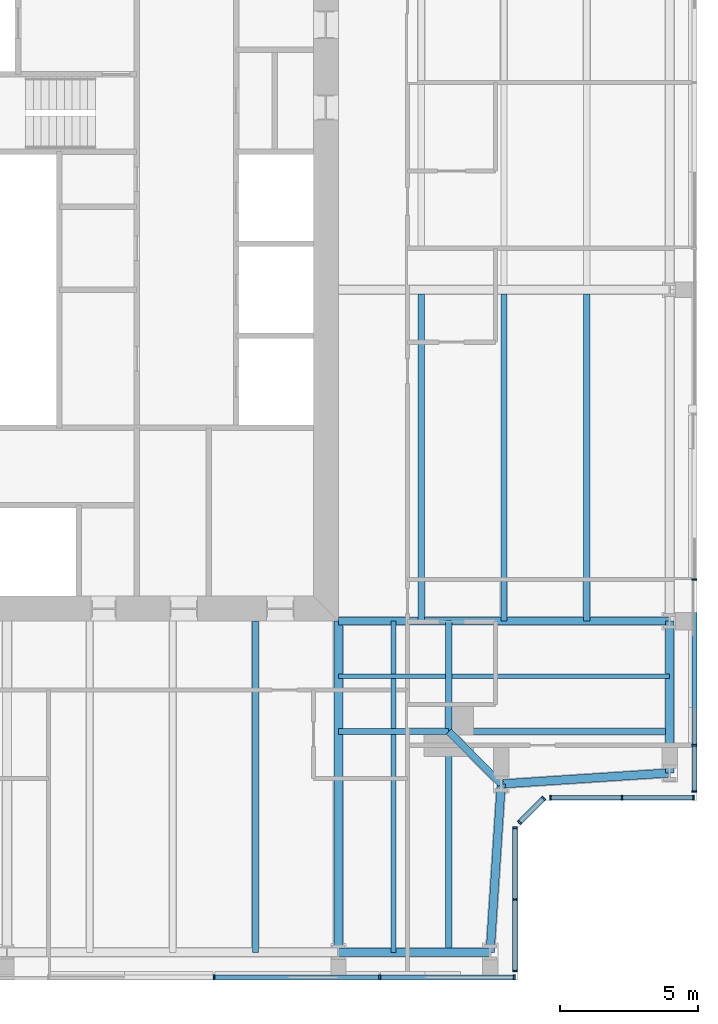
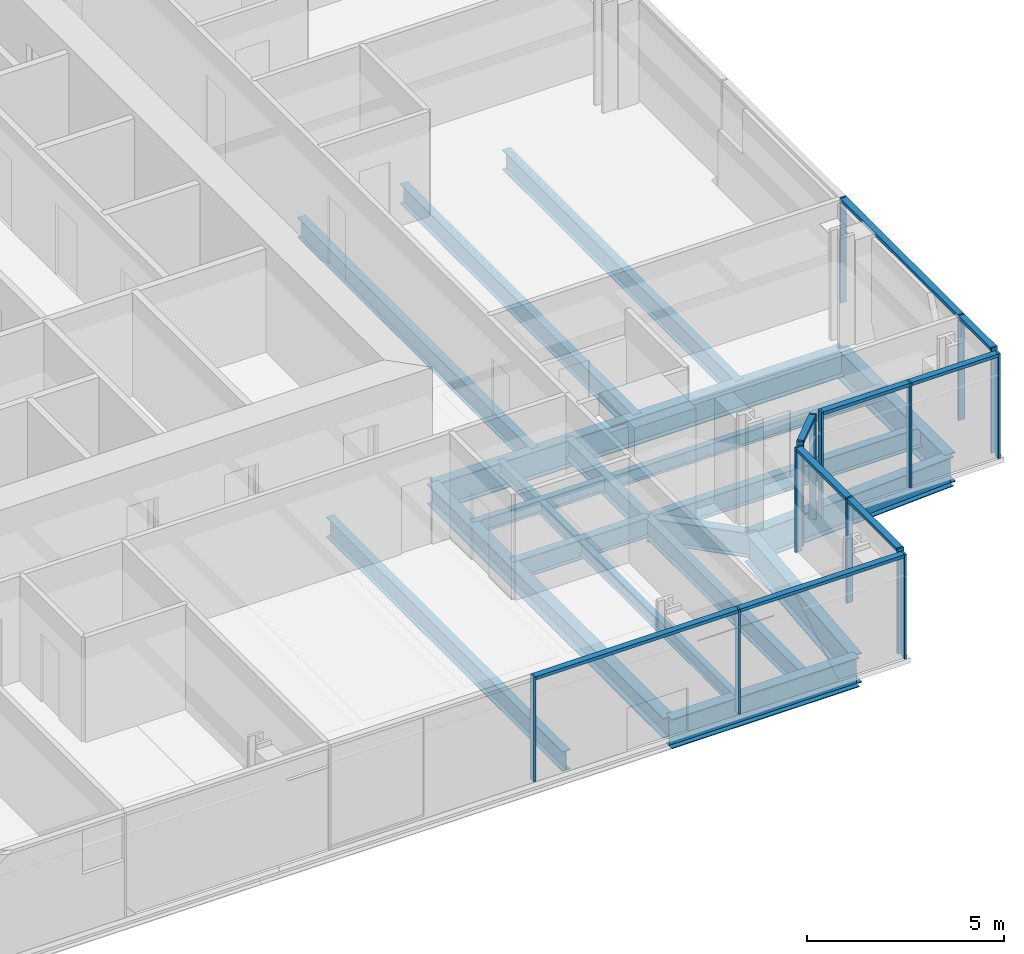
# One storey, part 5 of 18: 23 members, 20 beams, 5 elements without a shape of their own.
"""IFC4 building model written with IfcOpenShell, lengths in metres."""

from ifc_helpers import new_model, si_unit, direction, frame, origin, origin_2d, place, context, subcontext, project, spatial, rectangle, i_section, extrude, material, material_profile, profile_set, type_object, element, aggregate, save


model = new_model("IFC4")

# Units and contexts
model_context = context("Model", 3, precision=1e-05, world=origin(), true_north=direction((0.0, 1.0)))
body_context = subcontext(model_context, "Body", "Model", "MODEL_VIEW")
ifc_project = project(units=[si_unit("LENGTHUNIT", "METRE"), si_unit("AREAUNIT", "SQUARE_METRE"), si_unit("VOLUMEUNIT", "CUBIC_METRE"), si_unit("PLANEANGLEUNIT", "RADIAN"), si_unit("MASSUNIT", "GRAM", prefix="KILO")], contexts=[model_context])

# Site, building, storey
site_placement = place(None, origin())
site = spatial("IfcSite", under=ifc_project, at=site_placement, CompositionType="ELEMENT")
building_placement = place(site_placement, origin())
building = spatial("IfcBuilding", under=site, at=building_placement, Name="Fenwick Lantern Interchange", CompositionType="ELEMENT")
storey_placement = place(building_placement, frame((0.0, 0.0, 290.0)))
storey = spatial("IfcBuildingStorey", under=building, at=storey_placement, Name="L70", CompositionType="ELEMENT", Elevation=290.0)

# Beams
ifc_material_1 = material(Name="Steel ASTM A992 Grade 50", Category="steel")
ifc_material_profile_1 = material_profile(ifc_material_1, i_section(OverallWidth=0.3046875, OverallDepth=0.911865234375, WebThickness=0.015869140625, FlangeThickness=0.02392578125, at=origin_2d()), Name="W36X150")
ifc_profile_set_1 = profile_set([ifc_material_profile_1], Name="Steel ASTM A992 Grade 50")
beam_type_1 = type_object("IfcBeamType", Name="EDGE BEAM W36X150", PredefinedType="SPANDREL", material=ifc_profile_set_1)
beam_1_placement = place(storey_placement, frame((37.0, 1.0, -0.60595703125), z_axis=(1.0, 0.0, 0.0), x_axis=(0.0, 1.0, 0.0)))
element("IfcBeam", 1, at=beam_1_placement, inside=storey, type_object=beam_type_1, Name="L70/FR/S/EB4", PredefinedType="SPANDREL", context=body_context, shape_type="SweptSolid", body=[
    extrude(i_section(OverallWidth=0.3046875, OverallDepth=0.911865234375, WebThickness=0.015869140625, FlangeThickness=0.02392578125, at=origin_2d()), origin(), (0.0, 0.0, 1.0), 5.5),
])
for number, where, z_axis, x_axis, name in (
    (2, (42.5, 1.0, -0.60595703125), (0.065416293237, 0.997858060337, 0.0), (-0.997858060337, 0.065416293237, 0.0), "L70/FR/S/EBR1"),
    (3, (42.89990234375, 7.10009765625, -0.60595703125), (0.997858060337, 0.065416293237, 0.0), (-0.065416293237, 0.997858060337, 0.0), "L70/FR/S/EBR2"),
):
    element("IfcBeam", number, at=place(storey_placement, frame(where, z_axis=z_axis, x_axis=x_axis)), inside=storey, type_object=beam_type_1, Name=name, PredefinedType="SPANDREL", context=body_context, shape_type="SweptSolid", body=[
        extrude(i_section(OverallWidth=0.3046875, OverallDepth=0.911865234375, WebThickness=0.015869140625, FlangeThickness=0.02392578125, at=origin_2d()), origin(), (0.0, 0.0, 1.0), 6.11328125),
    ])
beam_2_placement = place(storey_placement, frame((49.0, 7.5, -0.60595703125), z_axis=(0.0, 1.0, 0.0), x_axis=(-1.0, 0.0, 0.0)))
element("IfcBeam", 4, at=beam_2_placement, inside=storey, type_object=beam_type_1, Name="L70/FR/E/EB1", PredefinedType="SPANDREL", context=body_context, shape_type="SweptSolid", body=[
    extrude(i_section(OverallWidth=0.3046875, OverallDepth=0.911865234375, WebThickness=0.015869140625, FlangeThickness=0.02392578125, at=origin_2d()), origin(), (0.0, 0.0, 1.0), 5.5),
])
ifc_material_profile_2 = material_profile(ifc_material_1, i_section(OverallWidth=0.22900390625, OverallDepth=0.612060546875, WebThickness=0.011962890625, FlangeThickness=0.01953125, at=origin_2d()), Name="W24X84")
ifc_profile_set_2 = profile_set([ifc_material_profile_2], Name="Steel ASTM A992 Grade 50")
beam_type_2 = type_object("IfcBeamType", Name="FLOOR BEAM W24X84", PredefinedType="BEAM", material=ifc_profile_set_2)
beam_3_placement = place(storey_placement, frame((34.0, 1.0, -0.4560546875), z_axis=(0.0, 1.0, 0.0), x_axis=(-1.0, 0.0, 0.0)))
element("IfcBeam", 5, at=beam_3_placement, inside=storey, type_object=beam_type_2, Name="L70/FR/S/R08", PredefinedType="BEAM", context=body_context, shape_type="SweptSolid", body=[
    extrude(i_section(OverallWidth=0.22900390625, OverallDepth=0.612060546875, WebThickness=0.011962890625, FlangeThickness=0.01953125, at=origin_2d()), origin(), (0.0, 0.0, 1.0), 12.0),
])
for number, where, z_axis, x_axis, name in (
    (6, (46.0, 13.0, -0.4560546875), (0.0, 1.0, 0.0), (-1.0, 0.0, 0.0), "L70/FR/E/B01"),
    (7, (43.0, 13.0, -0.4560546875), (0.0, 1.0, 0.0), (-1.0, 0.0, 0.0), "L70/FR/E/B02"),
    (8, (40.0, 13.0, -0.4560546875), (0.0, 1.0, 0.0), (-1.0, 0.0, 0.0), "L70/FR/E/B03"),
):
    element("IfcBeam", number, at=place(storey_placement, frame(where, z_axis=z_axis, x_axis=x_axis)), inside=storey, type_object=beam_type_2, Name=name, PredefinedType="BEAM", context=body_context, shape_type="SweptSolid", body=[
        extrude(i_section(OverallWidth=0.22900390625, OverallDepth=0.612060546875, WebThickness=0.011962890625, FlangeThickness=0.01953125, at=origin_2d()), origin(), (0.0, 0.0, 1.0), 11.844970703125),
    ])

# Curtain wall, members
ifc_material_2 = material(Name="Aluminium curtain wall frame", Category="aluminium")
curtain_wall_type = type_object("IfcCurtainWallType", Name="HOTEL CURTAIN WALL", PredefinedType="USERDEFINED", material=ifc_material_2)
curtain_wall_1_placement = place(storey_placement, origin())
curtain_wall_1 = element("IfcCurtainWall", 9, at=curtain_wall_1_placement, inside=storey, type_object=curtain_wall_type, Name="Hotel curtain wall 01", ObjectType="HOTEL CURTAIN WALL", PredefinedType="USERDEFINED")
ifc_material_3 = material(Name="Aluminium extrusion", Category="aluminium")
ifc_material_profile_3 = material_profile(ifc_material_3, rectangle(XDim=0.179931640625, YDim=0.06005859375, at=origin_2d()), Name="HOTEL CURTAIN WALL MULLION 60 X 180")
ifc_profile_set_3 = profile_set([ifc_material_profile_3], Name="Aluminium extrusion")
member_type_1 = type_object("IfcMemberType", Name="HOTEL CURTAIN WALL MULLION 60 X 180", PredefinedType="MULLION", material=ifc_profile_set_3)
member_1_placement = place(storey_placement, frame((32.5, 0.10009765625, 0.0), z_axis=(0.0, 0.0, 1.0), x_axis=(0.0, 1.0, 0.0)))
member_1 = element("IfcMember", 10, at=member_1_placement, type_object=member_type_1, Name="L70/CW/01/M05", PredefinedType="MULLION", context=body_context, shape_type="SweptSolid", body=[
    extrude(rectangle(XDim=0.179931640625, YDim=0.06005859375, at=origin_2d()), origin(), (0.0, 0.0, 1.0), 3.25),
])
member_2_placement = place(storey_placement, frame((38.5, 0.10009765625, 0.0), z_axis=(0.0, 0.0, 1.0), x_axis=(0.0, 1.0, 0.0)))
member_2 = element("IfcMember", 11, at=member_2_placement, type_object=member_type_1, Name="L70/CW/01/M06", PredefinedType="MULLION", context=body_context, shape_type="SweptSolid", body=[
    extrude(rectangle(XDim=0.179931640625, YDim=0.06005859375, at=origin_2d()), origin(), (0.0, 0.0, 1.0), 3.25),
])
member_3_placement = place(storey_placement, frame((43.3701171875, 0.10009765625, 0.0), z_axis=(0.0, 0.0, 1.0), x_axis=(0.0, 1.0, 0.0)))
member_3 = element("IfcMember", 12, at=member_3_placement, type_object=member_type_1, Name="L70/CW/01/M07", PredefinedType="MULLION", context=body_context, shape_type="SweptSolid", body=[
    extrude(rectangle(XDim=0.179931640625, YDim=0.06005859375, at=origin_2d()), origin(), (0.0, 0.0, 1.0), 3.25),
])

curtain_wall_2_placement = place(storey_placement, origin())
curtain_wall_2 = element("IfcCurtainWall", 13, at=curtain_wall_2_placement, inside=storey, type_object=curtain_wall_type, Name="Hotel curtain wall 02", ObjectType="HOTEL CURTAIN WALL", PredefinedType="USERDEFINED")
member_4_placement = place(storey_placement, frame((43.39990234375, 0.330078125, 0.0), z_axis=(0.0, 0.0, 1.0), x_axis=(-1.0, 0.0, 0.0)))
member_4 = element("IfcMember", 14, at=member_4_placement, type_object=member_type_1, Name="L70/CW/02/M00", PredefinedType="MULLION", context=body_context, shape_type="SweptSolid", body=[
    extrude(rectangle(XDim=0.179931640625, YDim=0.06005859375, at=origin_2d()), origin(), (0.0, 0.0, 1.0), 3.25),
])
member_5_placement = place(storey_placement, frame((43.39990234375, 2.920654296875, 0.0), z_axis=(0.0, 0.0, 1.0), x_axis=(-1.0, 0.0, 0.0)))
member_5 = element("IfcMember", 15, at=member_5_placement, type_object=member_type_1, Name="L70/CW/02/M01", PredefinedType="MULLION", context=body_context, shape_type="SweptSolid", body=[
    extrude(rectangle(XDim=0.179931640625, YDim=0.06005859375, at=origin_2d()), origin(), (0.0, 0.0, 1.0), 3.25),
])
member_6_placement = place(storey_placement, frame((43.39990234375, 5.511474609375, 0.0), z_axis=(0.0, 0.0, 1.0), x_axis=(-1.0, 0.0, 0.0)))
member_6 = element("IfcMember", 16, at=member_6_placement, type_object=member_type_1, Name="L70/CW/02/M02", PredefinedType="MULLION", context=body_context, shape_type="SweptSolid", body=[
    extrude(rectangle(XDim=0.179931640625, YDim=0.06005859375, at=origin_2d()), origin(), (0.0, 0.0, 1.0), 3.25),
])

curtain_wall_3_placement = place(storey_placement, origin())
curtain_wall_3 = element("IfcCurtainWall", 17, at=curtain_wall_3_placement, inside=storey, type_object=curtain_wall_type, Name="Hotel curtain wall 03", ObjectType="HOTEL CURTAIN WALL", PredefinedType="USERDEFINED")
member_7_placement = place(storey_placement, frame((43.562744140625, 5.7041015625, 0.0), z_axis=(0.0, 0.0, 1.0), x_axis=(-0.707106781187, 0.707106781187, 0.0)))
member_7 = element("IfcMember", 18, at=member_7_placement, type_object=member_type_1, Name="L70/CW/03/M00", PredefinedType="MULLION", context=body_context, shape_type="SweptSolid", body=[
    extrude(rectangle(XDim=0.179931640625, YDim=0.06005859375, at=origin_2d()), origin(), (0.0, 0.0, 1.0), 3.25),
])
member_8_placement = place(storey_placement, frame((44.437255859375, 6.578857421875, 0.0), z_axis=(0.0, 0.0, 1.0), x_axis=(-0.707106781187, 0.707106781187, 0.0)))
member_8 = element("IfcMember", 19, at=member_8_placement, type_object=member_type_1, Name="L70/CW/03/M01", PredefinedType="MULLION", context=body_context, shape_type="SweptSolid", body=[
    extrude(rectangle(XDim=0.179931640625, YDim=0.06005859375, at=origin_2d()), origin(), (0.0, 0.0, 1.0), 3.25),
])

curtain_wall_4_placement = place(storey_placement, origin())
curtain_wall_4 = element("IfcCurtainWall", 20, at=curtain_wall_4_placement, inside=storey, type_object=curtain_wall_type, Name="Hotel curtain wall 04", ObjectType="HOTEL CURTAIN WALL", PredefinedType="USERDEFINED")
member_9_placement = place(storey_placement, frame((44.6884765625, 6.60009765625, 0.0), z_axis=(0.0, 0.0, 1.0), x_axis=(0.0, 1.0, 0.0)))
member_9 = element("IfcMember", 21, at=member_9_placement, type_object=member_type_1, Name="L70/CW/04/M00", PredefinedType="MULLION", context=body_context, shape_type="SweptSolid", body=[
    extrude(rectangle(XDim=0.179931640625, YDim=0.06005859375, at=origin_2d()), origin(), (0.0, 0.0, 1.0), 3.25),
])
member_10_placement = place(storey_placement, frame((47.279296875, 6.60009765625, 0.0), z_axis=(0.0, 0.0, 1.0), x_axis=(0.0, 1.0, 0.0)))
member_10 = element("IfcMember", 22, at=member_10_placement, type_object=member_type_1, Name="L70/CW/04/M01", PredefinedType="MULLION", context=body_context, shape_type="SweptSolid", body=[
    extrude(rectangle(XDim=0.179931640625, YDim=0.06005859375, at=origin_2d()), origin(), (0.0, 0.0, 1.0), 3.25),
])
member_11_placement = place(storey_placement, frame((49.8701171875, 6.60009765625, 0.0), z_axis=(0.0, 0.0, 1.0), x_axis=(0.0, 1.0, 0.0)))
member_11 = element("IfcMember", 23, at=member_11_placement, type_object=member_type_1, Name="L70/CW/04/M02", PredefinedType="MULLION", context=body_context, shape_type="SweptSolid", body=[
    extrude(rectangle(XDim=0.179931640625, YDim=0.06005859375, at=origin_2d()), origin(), (0.0, 0.0, 1.0), 3.25),
])

curtain_wall_5_placement = place(storey_placement, origin())
curtain_wall_5 = element("IfcCurtainWall", 24, at=curtain_wall_5_placement, inside=storey, type_object=curtain_wall_type, Name="Hotel curtain wall 05", ObjectType="HOTEL CURTAIN WALL", PredefinedType="USERDEFINED")
member_12_placement = place(storey_placement, frame((49.89990234375, 6.830078125, 0.0), z_axis=(0.0, 0.0, 1.0), x_axis=(-1.0, 0.0, 0.0)))
member_12 = element("IfcMember", 25, at=member_12_placement, type_object=member_type_1, Name="L70/CW/05/M00", PredefinedType="MULLION", context=body_context, shape_type="SweptSolid", body=[
    extrude(rectangle(XDim=0.179931640625, YDim=0.06005859375, at=origin_2d()), origin(), (0.0, 0.0, 1.0), 3.25),
])
member_13_placement = place(storey_placement, frame((49.89990234375, 8.5, 0.0), z_axis=(0.0, 0.0, 1.0), x_axis=(-1.0, 0.0, 0.0)))
member_13 = element("IfcMember", 26, at=member_13_placement, type_object=member_type_1, Name="L70/CW/05/M01", PredefinedType="MULLION", context=body_context, shape_type="SweptSolid", body=[
    extrude(rectangle(XDim=0.179931640625, YDim=0.06005859375, at=origin_2d()), origin(), (0.0, 0.0, 1.0), 3.25),
])
member_14_placement = place(storey_placement, frame((49.89990234375, 14.5, 0.0), z_axis=(0.0, 0.0, 1.0), x_axis=(-1.0, 0.0, 0.0)))
member_14 = element("IfcMember", 27, at=member_14_placement, type_object=member_type_1, Name="L70/CW/05/M02", PredefinedType="MULLION", context=body_context, shape_type="SweptSolid", body=[
    extrude(rectangle(XDim=0.179931640625, YDim=0.06005859375, at=origin_2d()), origin(), (0.0, 0.0, 1.0), 3.25),
])

# Member
ifc_material_profile_4 = material_profile(ifc_material_3, rectangle(XDim=0.179931640625, YDim=0.10009765625, at=origin_2d()), Name="HOTEL CURTAIN WALL TRANSOM 100 X 180")
ifc_profile_set_4 = profile_set([ifc_material_profile_4], Name="Aluminium extrusion")
member_type_2 = type_object("IfcMemberType", Name="HOTEL CURTAIN WALL TRANSOM 100 X 180", PredefinedType="MULLION", material=ifc_profile_set_4)
member_15_placement = place(storey_placement, frame((32.530029296875, 0.10009765625, 3.199951171875), z_axis=(1.0, 0.0, 0.0), x_axis=(0.0, 1.0, 0.0)))
member_15 = element("IfcMember", 28, at=member_15_placement, type_object=member_type_2, Name="L70/CW/01/T05", PredefinedType="MULLION", context=body_context, shape_type="SweptSolid", body=[
    extrude(rectangle(XDim=0.179931640625, YDim=0.10009765625, at=origin_2d()), origin(), (0.0, 0.0, 1.0), 5.93994140625),
])

member_16_placement = place(storey_placement, frame((38.530029296875, 0.10009765625, 3.199951171875), z_axis=(1.0, 0.0, 0.0), x_axis=(0.0, 1.0, 0.0)))
member_16 = element("IfcMember", 29, at=member_16_placement, type_object=member_type_2, Name="L70/CW/01/T06", PredefinedType="MULLION", context=body_context, shape_type="SweptSolid", body=[
    extrude(rectangle(XDim=0.179931640625, YDim=0.10009765625, at=origin_2d()), origin(), (0.0, 0.0, 1.0), 4.81005859375),
])

aggregate(curtain_wall_1, [member_1, member_2, member_3, member_15, member_16])

member_17_placement = place(storey_placement, frame((43.39990234375, 0.360107421875, 3.199951171875), z_axis=(0.0, 1.0, 0.0), x_axis=(-1.0, 0.0, 0.0)))
member_17 = element("IfcMember", 30, at=member_17_placement, type_object=member_type_2, Name="L70/CW/02/T00", PredefinedType="MULLION", context=body_context, shape_type="SweptSolid", body=[
    extrude(rectangle(XDim=0.179931640625, YDim=0.10009765625, at=origin_2d()), origin(), (0.0, 0.0, 1.0), 2.530517578125),
])

member_18_placement = place(storey_placement, frame((43.39990234375, 2.95068359375, 3.199951171875), z_axis=(0.0, 1.0, 0.0), x_axis=(-1.0, 0.0, 0.0)))
member_18 = element("IfcMember", 31, at=member_18_placement, type_object=member_type_2, Name="L70/CW/02/T01", PredefinedType="MULLION", context=body_context, shape_type="SweptSolid", body=[
    extrude(rectangle(XDim=0.179931640625, YDim=0.10009765625, at=origin_2d()), origin(), (0.0, 0.0, 1.0), 2.53076171875),
])

aggregate(curtain_wall_2, [member_4, member_5, member_6, member_17, member_18])

member_19_placement = place(storey_placement, frame((43.583740234375, 5.725341796875, 3.199951171875), z_axis=(0.707210470133, 0.707003077033, 0.0), x_axis=(-0.707003077033, 0.707210470133, 0.0)))
member_19 = element("IfcMember", 32, at=member_19_placement, type_object=member_type_2, Name="L70/CW/03/T00", PredefinedType="MULLION", context=body_context, shape_type="SweptSolid", body=[
    extrude(rectangle(XDim=0.179931640625, YDim=0.10009765625, at=origin_2d()), origin(), (0.0, 0.0, 1.0), 1.17724609375),
])

aggregate(curtain_wall_3, [member_7, member_8, member_19])

member_20_placement = place(storey_placement, frame((44.718505859375, 6.60009765625, 3.199951171875), z_axis=(1.0, 0.0, 0.0), x_axis=(0.0, 1.0, 0.0)))
member_20 = element("IfcMember", 33, at=member_20_placement, type_object=member_type_2, Name="L70/CW/04/T00", PredefinedType="MULLION", context=body_context, shape_type="SweptSolid", body=[
    extrude(rectangle(XDim=0.179931640625, YDim=0.10009765625, at=origin_2d()), origin(), (0.0, 0.0, 1.0), 2.53076171875),
])

member_21_placement = place(storey_placement, frame((47.309326171875, 6.60009765625, 3.199951171875), z_axis=(1.0, 0.0, 0.0), x_axis=(0.0, 1.0, 0.0)))
member_21 = element("IfcMember", 34, at=member_21_placement, type_object=member_type_2, Name="L70/CW/04/T01", PredefinedType="MULLION", context=body_context, shape_type="SweptSolid", body=[
    extrude(rectangle(XDim=0.179931640625, YDim=0.10009765625, at=origin_2d()), origin(), (0.0, 0.0, 1.0), 2.53076171875),
])

aggregate(curtain_wall_4, [member_9, member_10, member_11, member_20, member_21])

member_22_placement = place(storey_placement, frame((49.89990234375, 6.860107421875, 3.199951171875), z_axis=(0.0, 1.0, 0.0), x_axis=(-1.0, 0.0, 0.0)))
member_22 = element("IfcMember", 35, at=member_22_placement, type_object=member_type_2, Name="L70/CW/05/T00", PredefinedType="MULLION", context=body_context, shape_type="SweptSolid", body=[
    extrude(rectangle(XDim=0.179931640625, YDim=0.10009765625, at=origin_2d()), origin(), (0.0, 0.0, 1.0), 1.60986328125),
])

member_23_placement = place(storey_placement, frame((49.89990234375, 8.530029296875, 3.199951171875), z_axis=(0.0, 1.0, 0.0), x_axis=(-1.0, 0.0, 0.0)))
member_23 = element("IfcMember", 36, at=member_23_placement, type_object=member_type_2, Name="L70/CW/05/T01", PredefinedType="MULLION", context=body_context, shape_type="SweptSolid", body=[
    extrude(rectangle(XDim=0.179931640625, YDim=0.10009765625, at=origin_2d()), origin(), (0.0, 0.0, 1.0), 5.93994140625),
])

aggregate(curtain_wall_5, [member_12, member_13, member_14, member_22, member_23])

# Beams
ifc_material_profile_5 = material_profile(ifc_material_1, i_section(OverallWidth=0.177734375, OverallDepth=0.406494140625, WebThickness=0.0078125, FlangeThickness=0.012939453125, at=origin_2d()), Name="W16X40")
ifc_profile_set_5 = profile_set([ifc_material_profile_5], Name="Steel ASTM A992 Grade 50")
beam_type_3 = type_object("IfcBeamType", Name="INFILL BEAM W16X40", PredefinedType="JOIST", material=ifc_profile_set_5)
beam_4_placement = place(storey_placement, frame((49.0, 11.0, -0.353271484375), z_axis=(-1.0, 0.0, 0.0), x_axis=(0.0, -1.0, 0.0)))
element("IfcBeam", 37, at=beam_4_placement, inside=storey, type_object=beam_type_3, Name="L70/FR/E/J1", PredefinedType="JOIST", context=body_context, shape_type="SweptSolid", body=[
    extrude(i_section(OverallWidth=0.177734375, OverallDepth=0.406494140625, WebThickness=0.0078125, FlangeThickness=0.012939453125, at=origin_2d()), origin(), (0.0, 0.0, 1.0), 7.885498046875),
])
beam_5_placement = place(storey_placement, frame((40.885498046875, 11.0, -0.353271484375), z_axis=(-1.0, 0.0, 0.0), x_axis=(0.0, -1.0, 0.0)))
element("IfcBeam", 38, at=beam_5_placement, inside=storey, type_object=beam_type_3, Name="L70/FR/E/J2", PredefinedType="JOIST", context=body_context, shape_type="SweptSolid", body=[
    extrude(i_section(OverallWidth=0.177734375, OverallDepth=0.406494140625, WebThickness=0.0078125, FlangeThickness=0.012939453125, at=origin_2d()), origin(), (0.0, 0.0, 1.0), 3.885498046875),
])
beam_6_placement = place(storey_placement, frame((39.0, 1.0, -0.353271484375), z_axis=(0.0, 1.0, 0.0), x_axis=(-1.0, 0.0, 0.0)))
element("IfcBeam", 39, at=beam_6_placement, inside=storey, type_object=beam_type_3, Name="L70/FR/E/J3", PredefinedType="JOIST", context=body_context, shape_type="SweptSolid", body=[
    extrude(i_section(OverallWidth=0.177734375, OverallDepth=0.406494140625, WebThickness=0.0078125, FlangeThickness=0.012939453125, at=origin_2d()), origin(), (0.0, 0.0, 1.0), 7.885498046875),
])
beam_7_placement = place(storey_placement, frame((39.0, 9.114501953125, -0.353271484375), z_axis=(0.0, 1.0, 0.0), x_axis=(-1.0, 0.0, 0.0)))
element("IfcBeam", 40, at=beam_7_placement, inside=storey, type_object=beam_type_3, Name="L70/FR/E/J4", PredefinedType="JOIST", context=body_context, shape_type="SweptSolid", body=[
    extrude(i_section(OverallWidth=0.177734375, OverallDepth=0.406494140625, WebThickness=0.0078125, FlangeThickness=0.012939453125, at=origin_2d()), origin(), (0.0, 0.0, 1.0), 1.796630859375),
])
beam_8_placement = place(storey_placement, frame((39.0, 11.0888671875, -0.353271484375), z_axis=(0.0, 1.0, 0.0), x_axis=(-1.0, 0.0, 0.0)))
element("IfcBeam", 41, at=beam_8_placement, inside=storey, type_object=beam_type_3, Name="L70/FR/E/J5", PredefinedType="JOIST", context=body_context, shape_type="SweptSolid", body=[
    extrude(i_section(OverallWidth=0.177734375, OverallDepth=0.406494140625, WebThickness=0.0078125, FlangeThickness=0.012939453125, at=origin_2d()), origin(), (0.0, 0.0, 1.0), 1.9111328125),
])
ifc_material_profile_6 = material_profile(ifc_material_1, i_section(OverallWidth=0.22900390625, OverallDepth=0.612060546875, WebThickness=0.011962890625, FlangeThickness=0.01953125, at=origin_2d()), Name="W24X84")
ifc_profile_set_6 = profile_set([ifc_material_profile_6], Name="Steel ASTM A992 Grade 50")
beam_type_4 = type_object("IfcBeamType", Name="MEGA COLUMN BEAM W24X84", PredefinedType="BEAM", material=ifc_profile_set_6)
for number, where, z_axis, x_axis, name in (
    (42, (41.0, 9.0, -0.4560546875), (1.0, 0.0, 0.0), (0.0, 1.0, 0.0), "L70/FR/E/MB1"),
    (43, (41.0, 9.0, -0.4560546875), (0.0, -1.0, 0.0), (1.0, 0.0, 0.0), "L70/FR/E/MB2"),
):
    element("IfcBeam", number, at=place(storey_placement, frame(where, z_axis=z_axis, x_axis=x_axis)), inside=storey, type_object=beam_type_4, Name=name, PredefinedType="BEAM", context=body_context, shape_type="SweptSolid", body=[
        extrude(i_section(OverallWidth=0.22900390625, OverallDepth=0.612060546875, WebThickness=0.011962890625, FlangeThickness=0.01953125, at=origin_2d()), origin(), (0.0, 0.0, 1.0), 8.0),
    ])
for number, where, z_axis, x_axis, name in (
    (44, (41.0, 9.0, -0.4560546875), (0.0, 1.0, 0.0), (-1.0, 0.0, 0.0), "L70/FR/E/MB3"),
    (45, (41.0, 9.0, -0.4560546875), (-1.0, 0.0, 0.0), (0.0, -1.0, 0.0), "L70/FR/E/MB4"),
):
    element("IfcBeam", number, at=place(storey_placement, frame(where, z_axis=z_axis, x_axis=x_axis)), inside=storey, type_object=beam_type_4, Name=name, PredefinedType="BEAM", context=body_context, shape_type="SweptSolid", body=[
        extrude(i_section(OverallWidth=0.22900390625, OverallDepth=0.612060546875, WebThickness=0.011962890625, FlangeThickness=0.01953125, at=origin_2d()), origin(), (0.0, 0.0, 1.0), 4.0),
    ])
ifc_material_profile_7 = material_profile(ifc_material_1, i_section(OverallWidth=0.32763671875, OverallDepth=0.622314453125, WebThickness=0.015380859375, FlangeThickness=0.0244140625, at=origin_2d()), Name="W24X131")
ifc_profile_set_7 = profile_set([ifc_material_profile_7], Name="Steel ASTM A992 Grade 50")
beam_type_5 = type_object("IfcBeamType", Name="MOMENT-CONNECTED GIRDER W24X131", PredefinedType="BEAM", material=ifc_profile_set_7)
beam_9_placement = place(storey_placement, frame((37.0, 1.0, -0.461181640625), z_axis=(0.0, 1.0, 0.0), x_axis=(-1.0, 0.0, 0.0)))
element("IfcBeam", 46, at=beam_9_placement, inside=storey, type_object=beam_type_5, Name="L70/FR/S/R09", PredefinedType="BEAM", context=body_context, shape_type="SweptSolid", body=[
    extrude(i_section(OverallWidth=0.32763671875, OverallDepth=0.622314453125, WebThickness=0.015380859375, FlangeThickness=0.0244140625, at=origin_2d()), origin(), (0.0, 0.0, 1.0), 12.0),
])
ifc_material_profile_8 = material_profile(ifc_material_1, i_section(OverallWidth=0.2919921875, OverallDepth=0.845703125, WebThickness=0.015380859375, FlangeThickness=0.0244140625, at=origin_2d()), Name="W33X141")
ifc_profile_set_8 = profile_set([ifc_material_profile_8], Name="Steel ASTM A992 Grade 50")
beam_type_6 = type_object("IfcBeamType", Name="MOMENT-CONNECTED GIRDER W33X141", PredefinedType="BEAM", material=ifc_profile_set_8)
beam_10_placement = place(storey_placement, frame((49.0, 13.0, -0.572998046875), z_axis=(-1.0, 0.0, 0.0), x_axis=(0.0, -1.0, 0.0)))
element("IfcBeam", 47, at=beam_10_placement, inside=storey, type_object=beam_type_6, Name="L70/FR/E/R01", PredefinedType="BEAM", context=body_context, shape_type="SweptSolid", body=[
    extrude(i_section(OverallWidth=0.2919921875, OverallDepth=0.845703125, WebThickness=0.015380859375, FlangeThickness=0.0244140625, at=origin_2d()), origin(), (0.0, 0.0, 1.0), 12.0),
])
ifc_material_profile_9 = material_profile(ifc_material_1, i_section(OverallWidth=0.2666015625, OverallDepth=0.7568359375, WebThickness=0.013916015625, FlangeThickness=0.019287109375, at=origin_2d()), Name="W30X108")
ifc_profile_set_9 = profile_set([ifc_material_profile_9], Name="Steel ASTM A992 Grade 50")
beam_type_7 = type_object("IfcBeamType", Name="NOTCH BEAM W30X108", PredefinedType="BEAM", material=ifc_profile_set_9)
beam_11_placement = place(storey_placement, frame((41.0, 9.0, -0.528564453125), z_axis=(0.707106781187, -0.707106781187, 0.0), x_axis=(0.707106781187, 0.707106781187, 0.0)))
element("IfcBeam", 48, at=beam_11_placement, inside=storey, type_object=beam_type_7, Name="L70/FR/E/TG", PredefinedType="BEAM", context=body_context, shape_type="SweptSolid", body=[
    extrude(i_section(OverallWidth=0.2666015625, OverallDepth=0.7568359375, WebThickness=0.013916015625, FlangeThickness=0.019287109375, at=origin_2d()), origin(), (0.0, 0.0, 1.0), 2.686767578125),
])

save(model, "model.ifc")
